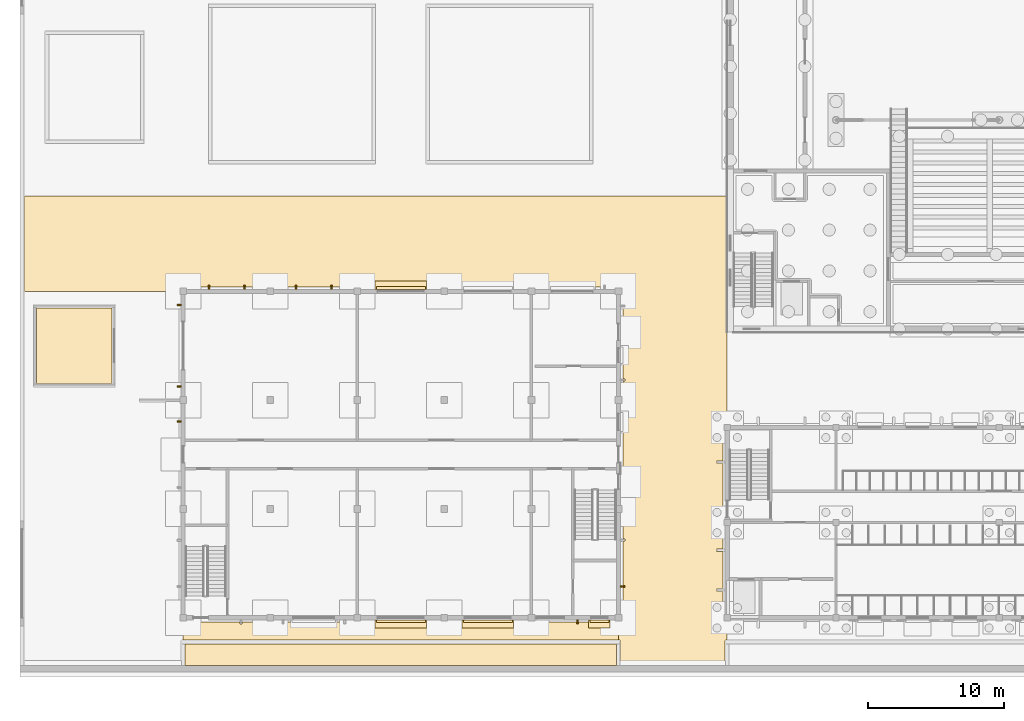
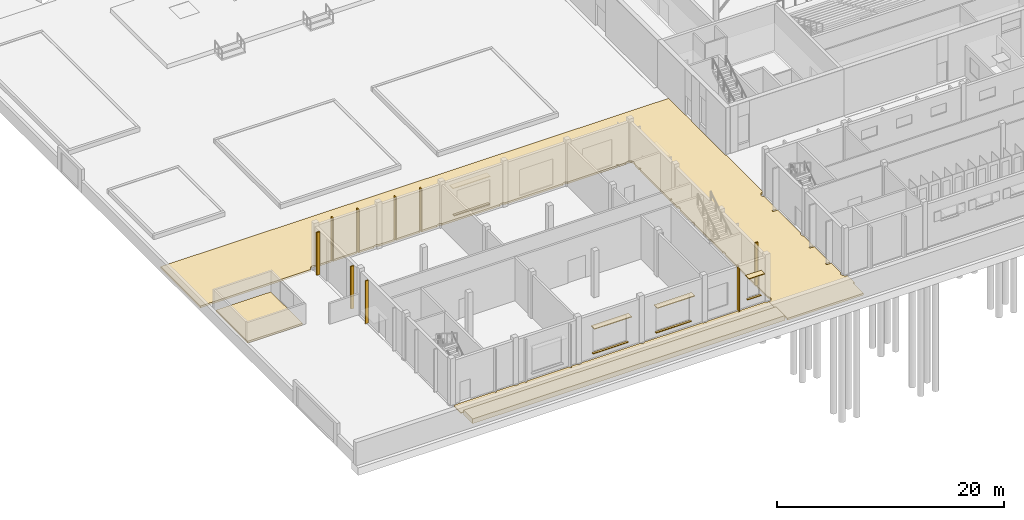
# One storey, part 122 of 157: 12 coverings, 9 shading devices.
"""IFC4 building model written with IfcOpenShell, lengths in metres."""

import ifcopenshell
import ifcopenshell.guid

model = None  # the IFC model being written
_history = None  # IfcOwnerHistory: only IFC2X3 demands one
_inside = {}  # id of a spatial element -> (the spatial element, [elements in it])
_under = {}  # id of a project, library or spatial element -> (it, [spatial elements below it])
_declared = {}  # id of a project -> (the project, [libraries it declares])
_typed = {}  # id of a type object -> (the type object, [elements of that type])
_made_of = {}  # id of a material, layer set ... -> (it, [elements and type objects made of it])


def new_model(schema):
    """Start an empty IFC model of exactly this schema.

    Asked for "IFC4X3", IfcOpenShell would pick the latest addendum, in which some entities
    have other attributes; the version numbers below select the first issue.
    IFC2X3 requires an IfcOwnerHistory on every rooted entity: one is made here for all.
    """
    global model, _history
    if schema == "IFC4X3":
        model = ifcopenshell.file(schema_version=(4, 3, 0, 0))
    else:
        model = ifcopenshell.file(schema=schema)
    _inside.clear()
    _under.clear()
    _declared.clear()
    _typed.clear()
    _made_of.clear()
    _history = None
    if model.schema == "IFC2X3":
        org = make("IfcOrganization", Name="unknown")
        user = make(
            "IfcPersonAndOrganization",
            ThePerson=make("IfcPerson", FamilyName="unknown"),
            TheOrganization=org,
        )
        app = make(
            "IfcApplication",
            ApplicationDeveloper=org,
            Version="unknown",
            ApplicationFullName="unknown",
            ApplicationIdentifier="unknown",
        )
        _history = make(
            "IfcOwnerHistory",
            OwningUser=user,
            OwningApplication=app,
            ChangeAction="ADDED",
            CreationDate=0,
        )
    return model


def make(cls, **values):
    """One entity of the class cls with the attributes given. An attribute that is None is left unset."""
    return model.create_entity(
        cls, **{name: value for name, value in values.items() if value is not None}
    )


def rooted(cls, **values):
    """An entity with a GlobalId (a new one), such as an element, a storey or a relation."""
    return make(cls, GlobalId=ifcopenshell.guid.new(), OwnerHistory=_history, **values)


def si_unit(unit_type, name, prefix=None):
    """IfcSIUnit, for example si_unit("LENGTHUNIT", "METRE", prefix="MILLI")."""
    return make("IfcSIUnit", UnitType=unit_type, Prefix=prefix, Name=name)


def assignment(units):
    """IfcUnitAssignment: the units of a project."""
    return None if units is None else make("IfcUnitAssignment", Units=units)


def point(xyz):
    """IfcCartesianPoint."""
    return None if xyz is None else make("IfcCartesianPoint", Coordinates=xyz)


def direction(xyz):
    """IfcDirection."""
    return None if xyz is None else make("IfcDirection", DirectionRatios=xyz)


def frame(location, z_axis=None, x_axis=None):
    """IfcAxis2Placement3D, a coordinate frame: its origin and axes. An axis left out is left unset."""
    return make(
        "IfcAxis2Placement3D",
        Location=point(location),
        Axis=direction(z_axis),
        RefDirection=direction(x_axis),
    )


def origin():
    """The frame at (0, 0, 0) with its axes left unset."""
    return frame((0.0, 0.0, 0.0))


def place(relative_to, where):
    """IfcLocalPlacement: puts the frame where relative to a parent placement (None: the world)."""
    return make(
        "IfcLocalPlacement", PlacementRelTo=relative_to, RelativePlacement=where
    )


def context(
    kind, dimensions, precision=None, world=None, true_north=None, identifier=None
):
    """IfcGeometricRepresentationContext, for example the 3D "Model" context."""
    return make(
        "IfcGeometricRepresentationContext",
        ContextIdentifier=identifier,
        ContextType=kind,
        CoordinateSpaceDimension=dimensions,
        Precision=precision,
        WorldCoordinateSystem=world,
        TrueNorth=true_north,
    )


def subcontext(parent, identifier, kind, view, scale=None):
    """IfcGeometricRepresentationSubContext, for example "Body" below "Model"."""
    return make(
        "IfcGeometricRepresentationSubContext",
        ContextIdentifier=identifier,
        ContextType=kind,
        ParentContext=parent,
        TargetScale=scale,
        TargetView=view,
    )


def project(units=None, contexts=None):
    """IfcProject with its units and contexts."""
    return rooted(
        "IfcProject",
        Name="project",
        RepresentationContexts=contexts,
        UnitsInContext=assignment(units),
    )


def spatial(cls, under=None, at=None, **own):
    """A site, building, storey or space (cls), placed at a placement, below another one or the project."""
    s = rooted(cls, ObjectPlacement=at, **own)
    if under is not None:
        _under.setdefault(under.id(), (under, []))[1].append(s)
    return s


def polyline(points):
    """IfcPolyline through the points."""
    return make("IfcPolyline", Points=[point(p) for p in points])


def outline(outer, holes=None, kind="AREA"):
    """IfcArbitraryClosedProfileDef: a profile drawn as a closed curve; with holes, ...WithVoids."""
    if holes is None:
        return make("IfcArbitraryClosedProfileDef", ProfileType=kind, OuterCurve=outer)
    return make(
        "IfcArbitraryProfileDefWithVoids",
        ProfileType=kind,
        OuterCurve=outer,
        InnerCurves=holes,
    )


def extrude(swept, where, along, depth):
    """IfcExtrudedAreaSolid: the profile swept, set in the frame where, extruded along a direction by depth."""
    return make(
        "IfcExtrudedAreaSolid",
        SweptArea=swept,
        Position=where,
        ExtrudedDirection=direction(along),
        Depth=depth,
    )


def shape(context_of_items, identifier, shape_type, items):
    """IfcShapeRepresentation: the items that make up one representation, for example the "Body"."""
    return make(
        "IfcShapeRepresentation",
        ContextOfItems=context_of_items,
        RepresentationIdentifier=identifier,
        RepresentationType=shape_type,
        Items=items,
    )


def material(Name=None, Category=None):
    """IfcMaterial."""
    return make("IfcMaterial", Name=Name, Category=Category)


def layer(
    of_material, thickness, ventilated=None, Name=None, Category=None, Priority=None
):
    """IfcMaterialLayer: one layer of a wall or slab, of a material (None: an air gap)."""
    return make(
        "IfcMaterialLayer",
        Material=of_material,
        LayerThickness=thickness,
        IsVentilated=ventilated,
        Name=Name,
        Category=Category,
        Priority=Priority,
    )


def layer_set(layers, Name=None):
    """IfcMaterialLayerSet."""
    return make("IfcMaterialLayerSet", MaterialLayers=layers, LayerSetName=Name)


def made_of(thing, what):
    """Note that an element or type object is made of a material, layer set ...; save() writes the relation."""
    if what is not None:
        _made_of.setdefault(what.id(), (what, []))[1].append(thing)
    return thing


def type_object(cls, material=None, **own):
    """A type object (cls), such as IfcWallType, which elements share."""
    return made_of(rooted(cls, **own), material)


def element(
    cls,
    number,
    at=None,
    inside=None,
    cuts=None,
    type_object=None,
    material=None,
    context=None,
    identifier="Body",
    shape_type=None,
    held_by="IfcProductDefinitionShape",
    body=None,
    shapes=None,
    **own,
):
    """One element of the class cls, such as IfcWall. Its Tag is "e" and its number.

    at: its placement. inside: the storey or other place that contains it. cuts: it is an
    opening in that element (IfcRelVoidsElement). A single representation is given by context,
    identifier, shape_type and body (its items); several are given by shapes. held_by: the class
    of the entity that holds the representations. save() writes the other relations.
    """
    e = rooted(cls, Tag="e%d" % number, ObjectPlacement=at, **own)
    if body is not None:
        shapes = [shape(context, identifier, shape_type, body)]
    if shapes is not None:
        e.Representation = make(held_by, Representations=shapes)
    if inside is not None:
        _inside.setdefault(inside.id(), (inside, []))[1].append(e)
    if cuts is not None:
        rooted(
            "IfcRelVoidsElement", RelatingBuildingElement=cuts, RelatedOpeningElement=e
        )
    if type_object is not None:
        _typed.setdefault(type_object.id(), (type_object, []))[1].append(e)
    return made_of(e, material)


def aggregate(whole, parts):
    """IfcRelAggregates: a whole, such as a stair, and the parts it consists of."""
    return rooted("IfcRelAggregates", RelatingObject=whole, RelatedObjects=parts)


def save(model, path):
    """Write the relations noted so far, then the file.

    IfcRelAggregates (storeys below a building ...), IfcRelContainedInSpatialStructure (elements
    in a storey), IfcRelDefinesByType, IfcRelAssociatesMaterial and IfcRelDeclares: one each for
    every whole, place, type object, material and project.
    """
    for whole, parts in _under.values():
        aggregate(whole, parts)
    for where, things in _inside.values():
        rooted(
            "IfcRelContainedInSpatialStructure",
            RelatedElements=things,
            RelatingStructure=where,
        )
    for kind, things in _typed.values():
        rooted("IfcRelDefinesByType", RelatedObjects=things, RelatingType=kind)
    for what, things in _made_of.values():
        rooted("IfcRelAssociatesMaterial", RelatedObjects=things, RelatingMaterial=what)
    for by, libraries in _declared.values():
        rooted("IfcRelDeclares", RelatingContext=by, RelatedDefinitions=libraries)
    model.write(path)


model = new_model("IFC4")

# Units and contexts
model_context = context("Model", 3, precision=1e-05, world=origin(), true_north=direction((0.0, 1.0)))
body_context = subcontext(model_context, "Body", "Model", "MODEL_VIEW")
ifc_project = project(units=[si_unit("LENGTHUNIT", "METRE"), si_unit("AREAUNIT", "SQUARE_METRE"), si_unit("VOLUMEUNIT", "CUBIC_METRE"), si_unit("PLANEANGLEUNIT", "RADIAN"), si_unit("MASSUNIT", "GRAM", prefix="KILO")], contexts=[model_context])

# Site, building, storey
site_placement = place(None, origin())
site = spatial("IfcSite", under=ifc_project, at=site_placement, CompositionType="ELEMENT")
building_placement = place(site_placement, origin())
building = spatial("IfcBuilding", under=site, at=building_placement, Name="Windward Yard Aquatics Centre", CompositionType="ELEMENT")
storey_placement = place(building_placement, origin())
storey = spatial("IfcBuildingStorey", under=building, at=storey_placement, Name="L00", CompositionType="ELEMENT", Elevation=0.0)

# Shading devices
ifc_material_1 = material(Name="Aluminium fin, powder coated", Category="aluminium")
shading_device_type = type_object("IfcShadingDeviceType", Name="P vertical fin 120x300", PredefinedType="USERDEFINED", material=ifc_material_1)
shading_device_1_placement = place(storey_placement, origin())
element("IfcShadingDevice", 1, at=shading_device_1_placement, inside=storey, type_object=shading_device_type, Name="Vertical fin P.W.L00.E1.1.1", ObjectType="FIN", PredefinedType="USERDEFINED", context=body_context, shape_type="SweptSolid", body=[
    extrude(outline(polyline([(44.14990234375, 7.239990234375), (44.14990234375, 7.360107421875), (44.449951171875, 7.360107421875), (44.449951171875, 7.239990234375), (44.14990234375, 7.239990234375)])), origin(), (0.0, 0.0, 1.0), 4.590087890625),
])
shading_device_2_placement = place(storey_placement, origin())
element("IfcShadingDevice", 2, at=shading_device_2_placement, inside=storey, type_object=shading_device_type, Name="Vertical fin P.W.L00.N1.1.1", ObjectType="FIN", PredefinedType="USERDEFINED", context=body_context, shape_type="SweptSolid", body=[
    extrude(outline(polyline([(13.840087890625, 29.14990234375), (13.9599609375, 29.14990234375), (13.9599609375, 29.449951171875), (13.840087890625, 29.449951171875), (13.840087890625, 29.14990234375)])), origin(), (0.0, 0.0, 1.0), 4.590087890625),
])
shading_device_3_placement = place(storey_placement, origin())
element("IfcShadingDevice", 3, at=shading_device_3_placement, inside=storey, type_object=shading_device_type, Name="Vertical fin P.W.L00.N1.1.2", ObjectType="FIN", PredefinedType="USERDEFINED", context=body_context, shape_type="SweptSolid", body=[
    extrude(outline(polyline([(16.43994140625, 29.14990234375), (16.56005859375, 29.14990234375), (16.56005859375, 29.449951171875), (16.43994140625, 29.449951171875), (16.43994140625, 29.14990234375)])), origin(), (0.0, 0.0, 1.0), 4.590087890625),
])
shading_device_4_placement = place(storey_placement, origin())
element("IfcShadingDevice", 4, at=shading_device_4_placement, inside=storey, type_object=shading_device_type, Name="Vertical fin P.W.L00.N2.1.1", ObjectType="FIN", PredefinedType="USERDEFINED", context=body_context, shape_type="SweptSolid", body=[
    extrude(outline(polyline([(20.239990234375, 29.14990234375), (20.360107421875, 29.14990234375), (20.360107421875, 29.449951171875), (20.239990234375, 29.449951171875), (20.239990234375, 29.14990234375)])), origin(), (0.0, 0.0, 1.0), 4.590087890625),
])
shading_device_5_placement = place(storey_placement, origin())
element("IfcShadingDevice", 5, at=shading_device_5_placement, inside=storey, type_object=shading_device_type, Name="Vertical fin P.W.L00.N2.1.2", ObjectType="FIN", PredefinedType="USERDEFINED", context=body_context, shape_type="SweptSolid", body=[
    extrude(outline(polyline([(22.840087890625, 29.14990234375), (22.9599609375, 29.14990234375), (22.9599609375, 29.449951171875), (22.840087890625, 29.449951171875), (22.840087890625, 29.14990234375)])), origin(), (0.0, 0.0, 1.0), 4.590087890625),
])
shading_device_6_placement = place(storey_placement, origin())
element("IfcShadingDevice", 6, at=shading_device_6_placement, inside=storey, type_object=shading_device_type, Name="Vertical fin P.W.L00.S5.1.1", ObjectType="FIN", PredefinedType="USERDEFINED", context=body_context, shape_type="SweptSolid", body=[
    extrude(outline(polyline([(40.93994140625, 4.550048828125), (40.93994140625, 4.85009765625), (41.06005859375, 4.85009765625), (41.06005859375, 4.550048828125), (40.93994140625, 4.550048828125)])), origin(), (0.0, 0.0, 1.0), 4.590087890625),
])
shading_device_7_placement = place(storey_placement, origin())
element("IfcShadingDevice", 7, at=shading_device_7_placement, inside=storey, type_object=shading_device_type, Name="Vertical fin P.W.L00.W2.2.1", ObjectType="FIN", PredefinedType="USERDEFINED", context=body_context, shape_type="SweptSolid", body=[
    extrude(outline(polyline([(11.550048828125, 19.364990234375), (11.85009765625, 19.364990234375), (11.85009765625, 19.485107421875), (11.550048828125, 19.485107421875), (11.550048828125, 19.364990234375)])), origin(), (0.0, 0.0, 1.0), 4.590087890625),
])
shading_device_8_placement = place(storey_placement, origin())
element("IfcShadingDevice", 8, at=shading_device_8_placement, inside=storey, type_object=shading_device_type, Name="Vertical fin P.W.L00.W3.1.1", ObjectType="FIN", PredefinedType="USERDEFINED", context=body_context, shape_type="SweptSolid", body=[
    extrude(outline(polyline([(11.550048828125, 21.93994140625), (11.85009765625, 21.93994140625), (11.85009765625, 22.06005859375), (11.550048828125, 22.06005859375), (11.550048828125, 21.93994140625)])), origin(), (0.0, 0.0, 1.0), 4.590087890625),
])
shading_device_9_placement = place(storey_placement, origin())
element("IfcShadingDevice", 9, at=shading_device_9_placement, inside=storey, type_object=shading_device_type, Name="Vertical fin P.W.L00.W3.2.1", ObjectType="FIN", PredefinedType="USERDEFINED", context=body_context, shape_type="SweptSolid", body=[
    extrude(outline(polyline([(11.550048828125, 27.93994140625), (11.85009765625, 27.93994140625), (11.85009765625, 28.06005859375), (11.550048828125, 28.06005859375), (11.550048828125, 27.93994140625)])), origin(), (0.0, 0.0, 1.0), 4.590087890625),
])

# Coverings
ifc_material_2 = material(Name="Aluminium composite hood, powder coated", Category="aluminium")
ifc_layer_1 = layer(ifc_material_2, 0.080078125)
ifc_layer_set_1 = layer_set([ifc_layer_1], Name="P window hood aluminium 1600x600")
covering_type_1 = type_object("IfcCoveringType", Name="P window hood aluminium 1600x600", PredefinedType="CLADDING", material=ifc_layer_set_1)
covering_1_placement = place(storey_placement, frame((0.0, 0.0, 3.35009765625)))
element("IfcCovering", 10, at=covering_1_placement, inside=storey, type_object=covering_type_1, Name="Window hood PW0005", PredefinedType="CLADDING", context=body_context, shape_type="SweptSolid", body=[
    extrude(outline(polyline([(41.800048828125, 4.25), (41.800048828125, 4.85009765625), (43.39990234375, 4.85009765625), (43.39990234375, 4.25), (41.800048828125, 4.25)])), origin(), (0.0, 0.0, 1.0), 0.079833984375),
])
ifc_layer_2 = layer(ifc_material_2, 0.080078125)
ifc_layer_set_2 = layer_set([ifc_layer_2], Name="P window hood aluminium 3800x600")
covering_type_2 = type_object("IfcCoveringType", Name="P window hood aluminium 3800x600", PredefinedType="CLADDING", material=ifc_layer_set_2)
covering_2_placement = place(storey_placement, frame((0.0, 0.0, 3.449951171875)))
element("IfcCovering", 11, at=covering_2_placement, inside=storey, type_object=covering_type_2, Name="Window hood PW0006", PredefinedType="CLADDING", context=body_context, shape_type="SweptSolid", body=[
    extrude(outline(polyline([(26.10009765625, 29.14990234375), (29.89990234375, 29.14990234375), (29.89990234375, 29.75), (26.10009765625, 29.75), (26.10009765625, 29.14990234375)])), origin(), (0.0, 0.0, 1.0), 0.080078125),
])
covering_3_placement = place(storey_placement, frame((0.0, 0.0, 3.449951171875)))
element("IfcCovering", 12, at=covering_3_placement, inside=storey, type_object=covering_type_2, Name="Window hood PW0002", PredefinedType="CLADDING", context=body_context, shape_type="SweptSolid", body=[
    extrude(outline(polyline([(26.10009765625, 4.25), (26.10009765625, 4.85009765625), (29.89990234375, 4.85009765625), (29.89990234375, 4.25), (26.10009765625, 4.25)])), origin(), (0.0, 0.0, 1.0), 0.080078125),
])
covering_4_placement = place(storey_placement, frame((0.0, 0.0, 3.449951171875)))
element("IfcCovering", 13, at=covering_4_placement, inside=storey, type_object=covering_type_2, Name="Window hood PW0003", PredefinedType="CLADDING", context=body_context, shape_type="SweptSolid", body=[
    extrude(outline(polyline([(32.5, 4.25), (32.5, 4.85009765625), (36.300048828125, 4.85009765625), (36.300048828125, 4.25), (32.5, 4.25)])), origin(), (0.0, 0.0, 1.0), 0.080078125),
])
ifc_material_3 = material(Name="Limestone sill", Category="masonry")
ifc_layer_3 = layer(ifc_material_3, 0.080078125)
ifc_layer_set_3 = layer_set([ifc_layer_3], Name="P window sill stone 1400x200")
covering_type_3 = type_object("IfcCoveringType", Name="P window sill stone 1400x200", PredefinedType="CLADDING", material=ifc_layer_set_3)
covering_5_placement = place(storey_placement, frame((0.0, 0.0, 0.820068359375)))
element("IfcCovering", 14, at=covering_5_placement, inside=storey, type_object=covering_type_3, Name="Window sill PW0005", PredefinedType="CLADDING", context=body_context, shape_type="SweptSolid", body=[
    extrude(outline(polyline([(41.89990234375, 4.64990234375), (41.89990234375, 4.85009765625), (43.300048828125, 4.85009765625), (43.300048828125, 4.64990234375), (41.89990234375, 4.64990234375)])), origin(), (0.0, 0.0, 1.0), 0.079833984375),
])
ifc_layer_4 = layer(ifc_material_3, 0.080078125)
ifc_layer_set_4 = layer_set([ifc_layer_4], Name="P window sill stone 3600x200")
covering_type_4 = type_object("IfcCoveringType", Name="P window sill stone 3600x200", PredefinedType="CLADDING", material=ifc_layer_set_4)
covering_6_placement = place(storey_placement, frame((0.0, 0.0, 0.52001953125)))
element("IfcCovering", 15, at=covering_6_placement, inside=storey, type_object=covering_type_4, Name="Window sill PW0006", PredefinedType="CLADDING", context=body_context, shape_type="SweptSolid", body=[
    extrude(outline(polyline([(26.199951171875, 29.14990234375), (29.800048828125, 29.14990234375), (29.800048828125, 29.35009765625), (26.199951171875, 29.35009765625), (26.199951171875, 29.14990234375)])), origin(), (0.0, 0.0, 1.0), 0.080078125),
])
covering_7_placement = place(storey_placement, frame((0.0, 0.0, 0.52001953125)))
element("IfcCovering", 16, at=covering_7_placement, inside=storey, type_object=covering_type_4, Name="Window sill PW0002", PredefinedType="CLADDING", context=body_context, shape_type="SweptSolid", body=[
    extrude(outline(polyline([(26.199951171875, 4.64990234375), (26.199951171875, 4.85009765625), (29.800048828125, 4.85009765625), (29.800048828125, 4.64990234375), (26.199951171875, 4.64990234375)])), origin(), (0.0, 0.0, 1.0), 0.080078125),
])
covering_8_placement = place(storey_placement, frame((0.0, 0.0, 0.52001953125)))
element("IfcCovering", 17, at=covering_8_placement, inside=storey, type_object=covering_type_4, Name="Window sill PW0003", PredefinedType="CLADDING", context=body_context, shape_type="SweptSolid", body=[
    extrude(outline(polyline([(32.60009765625, 4.64990234375), (32.60009765625, 4.85009765625), (36.199951171875, 4.85009765625), (36.199951171875, 4.64990234375), (32.60009765625, 4.64990234375)])), origin(), (0.0, 0.0, 1.0), 0.080078125),
])
ifc_material_4 = material(Name="Concrete block paving C35/45", Category="concrete")
ifc_layer_5 = layer(ifc_material_4, 0.080078125)
ifc_layer_set_5 = layer_set([ifc_layer_5], Name="X Maintenance Path Paving 80")
covering_type_5 = type_object("IfcCoveringType", Name="X Maintenance Path Paving 80", PredefinedType="FLOORING", material=ifc_layer_set_5)
covering_9_placement = place(storey_placement, frame((0.0, 0.0, -0.080078125)))
element("IfcCovering", 18, at=covering_9_placement, inside=storey, type_object=covering_type_5, Name="Maintenance path paving 1", PredefinedType="FLOORING", context=body_context, shape_type="SweptSolid", body=[
    extrude(outline(polyline([(12.0, 3.344970703125), (44.0, 3.344970703125), (44.0, 4.580078125), (43.959716796875, 4.58203125), (43.9189453125, 4.587890625), (43.87890625, 4.597900390625), (43.840087890625, 4.611572265625), (43.802978515625, 4.629150390625), (43.767578125, 4.650390625), (43.728515625, 4.679931640625), (41.080078125, 4.679931640625), (41.079833984375, 4.548095703125), (41.07763671875, 4.54052734375), (41.07275390625, 4.534423828125), (41.06591796875, 4.531005859375), (41.06005859375, 4.530029296875), (40.93994140625, 4.530029296875), (40.932373046875, 4.531494140625), (40.92578125, 4.535888671875), (40.92138671875, 4.542236328125), (40.919921875, 4.550048828125), (40.919921875, 4.679931640625), (37.87158203125, 4.679931640625), (37.83251953125, 4.650390625), (37.797119140625, 4.629150390625), (37.759765625, 4.611572265625), (37.720947265625, 4.597900390625), (37.680908203125, 4.587890625), (37.64013671875, 4.58203125), (37.59912109375, 4.580078125), (37.559814453125, 4.58203125), (37.51904296875, 4.587890625), (37.47900390625, 4.597900390625), (37.440185546875, 4.611572265625), (37.40283203125, 4.629150390625), (37.367431640625, 4.650390625), (37.328369140625, 4.679931640625), (31.4716796875, 4.679931640625), (31.4326171875, 4.650390625), (31.397216796875, 4.629150390625), (31.35986328125, 4.611572265625), (31.321044921875, 4.597900390625), (31.281005859375, 4.587890625), (31.240234375, 4.58203125), (31.198974609375, 4.580078125), (31.157958984375, 4.58203125), (31.1171875, 4.58837890625), (31.0771484375, 4.598388671875), (31.040283203125, 4.611572265625), (31.0029296875, 4.629150390625), (30.967529296875, 4.650390625), (30.928466796875, 4.679931640625), (25.071533203125, 4.679931640625), (25.032470703125, 4.650390625), (24.9970703125, 4.629150390625), (24.959716796875, 4.611572265625), (24.9208984375, 4.597900390625), (24.881103515625, 4.587890625), (24.840087890625, 4.58203125), (24.799072265625, 4.580078125), (24.7578125, 4.58203125), (24.717041015625, 4.58837890625), (24.677001953125, 4.598388671875), (24.64013671875, 4.611572265625), (24.602783203125, 4.629150390625), (24.5673828125, 4.650390625), (24.5283203125, 4.679931640625), (23.955078125, 4.679931640625), (23.955078125, 4.550048828125), (23.95361328125, 4.542236328125), (23.94921875, 4.535888671875), (23.942626953125, 4.531494140625), (23.93505859375, 4.530029296875), (23.81494140625, 4.530029296875), (23.807373046875, 4.531494140625), (23.80078125, 4.535888671875), (23.79736328125, 4.54052734375), (23.795166015625, 4.548095703125), (23.794921875, 4.679931640625), (19.405029296875, 4.679931640625), (19.405029296875, 4.550048828125), (19.403564453125, 4.542236328125), (19.399169921875, 4.535888671875), (19.392578125, 4.531494140625), (19.385009765625, 4.530029296875), (19.264892578125, 4.530029296875), (19.25732421875, 4.531494140625), (19.2509765625, 4.535888671875), (19.247314453125, 4.54052734375), (19.2451171875, 4.548095703125), (19.2451171875, 4.679931640625), (18.671630859375, 4.679931640625), (18.632568359375, 4.650390625), (18.59716796875, 4.629150390625), (18.559814453125, 4.611572265625), (18.52099609375, 4.597900390625), (18.48095703125, 4.587890625), (18.440185546875, 4.58203125), (18.39892578125, 4.580078125), (18.35791015625, 4.58203125), (18.317138671875, 4.58837890625), (18.277099609375, 4.598388671875), (18.240234375, 4.611572265625), (18.202880859375, 4.629150390625), (18.16748046875, 4.650390625), (18.12841796875, 4.679931640625), (16.330078125, 4.679931640625), (16.330078125, 4.550048828125), (16.32861328125, 4.542236328125), (16.32421875, 4.535888671875), (16.317626953125, 4.531494140625), (16.31005859375, 4.530029296875), (16.18994140625, 4.530029296875), (16.182373046875, 4.531494140625), (16.17578125, 4.535888671875), (16.17236328125, 4.54052734375), (16.170166015625, 4.548095703125), (16.169921875, 4.679931640625), (12.271484375, 4.679931640625), (12.232421875, 4.650390625), (12.197021484375, 4.629150390625), (12.159912109375, 4.611572265625), (12.12109375, 4.597900390625), (12.0810546875, 4.587890625), (12.040283203125, 4.58203125), (12.0, 4.580078125), (12.0, 3.344970703125)])), origin(), (0.0, 0.0, 1.0), 0.080078125),
])
ifc_material_5 = material(Name="Planting soil")
ifc_layer_6 = layer(ifc_material_5, 0.448, Name="Planting")
ifc_material_6 = material(Name="Filter fabric")
ifc_layer_7 = layer(ifc_material_6, 0.002, Name="Filter")
ifc_material_7 = material(Name="Drainage board")
ifc_layer_8 = layer(ifc_material_7, 0.05, Name="Drainage")
ifc_layer_set_6 = layer_set([ifc_layer_6, ifc_layer_7, ifc_layer_8], Name="X Planting Bed Soil 400")
covering_type_6 = type_object("IfcCoveringType", Name="X Planting Bed Soil 400", PredefinedType="USERDEFINED", material=ifc_layer_set_6)
covering_10_placement = place(storey_placement, frame((0.0, 0.0, -0.10009765625)))
element("IfcCovering", 19, at=covering_10_placement, inside=storey, type_object=covering_type_6, Name="Rail side berm west", ObjectType="PLANTING BED", PredefinedType="USERDEFINED", context=body_context, shape_type="SweptSolid", body=[
    extrude(outline(polyline([(12.125, 1.5), (43.875, 1.5), (43.875, 3.074951171875), (12.125, 3.074951171875), (12.125, 1.5)])), origin(), (0.0, 0.0, 1.0), 0.5),
])
ifc_material_8 = material(Name="Concrete C30/37", Category="concrete")
ifc_layer_9 = layer(ifc_material_8, 0.199951171875)
ifc_layer_set_7 = layer_set([ifc_layer_9], Name="X Service Apron Concrete C30/37 200")
covering_type_7 = type_object("IfcCoveringType", Name="X Service Apron Concrete C30/37 200", PredefinedType="FLOORING", material=ifc_layer_set_7)
covering_11_placement = place(storey_placement, frame((0.0, 0.0, -0.199951171875)))
element("IfcCovering", 20, at=covering_11_placement, inside=storey, type_object=covering_type_7, Name="Service apron paving 1", PredefinedType="FLOORING", context=body_context, shape_type="SweptSolid", body=[
    extrude(outline(polyline([(1.219970703125, 22.219970703125), (6.780029296875, 22.219970703125), (6.780029296875, 27.780029296875), (1.219970703125, 27.780029296875), (1.219970703125, 22.219970703125)])), origin(), (0.0, 0.0, 1.0), 0.199951171875),
])
covering_12_placement = place(storey_placement, frame((0.0, 0.0, -0.199951171875)))
element("IfcCovering", 21, at=covering_12_placement, inside=storey, type_object=covering_type_7, Name="Service lane paving 1", PredefinedType="FLOORING", context=body_context, shape_type="SweptSolid", body=[
    extrude(outline(polyline([(0.320068359375, 29.0), (11.580078125, 29.0), (11.58203125, 29.040283203125), (11.587890625, 29.0810546875), (11.598388671875, 29.122802734375), (11.6123046875, 29.16162109375), (11.630126953125, 29.19873046875), (11.6513671875, 29.234130859375), (11.679931640625, 29.271484375), (11.68017578125, 29.302001953125), (11.6845703125, 29.312744140625), (11.68896484375, 29.316650390625), (11.696044921875, 29.319580078125), (11.728515625, 29.320068359375), (11.765869140625, 29.3486328125), (11.802978515625, 29.370849609375), (11.840087890625, 29.388427734375), (11.877197265625, 29.401611328125), (11.9169921875, 29.41162109375), (11.959716796875, 29.41796875), (12.0009765625, 29.419921875), (12.0419921875, 29.41796875), (12.0830078125, 29.41162109375), (12.12109375, 29.402099609375), (12.159912109375, 29.388427734375), (12.19873046875, 29.369873046875), (12.234130859375, 29.3486328125), (12.271484375, 29.320068359375), (13.820068359375, 29.320068359375), (13.820068359375, 29.451904296875), (13.821533203125, 29.457763671875), (13.825927734375, 29.464111328125), (13.832275390625, 29.468505859375), (13.840087890625, 29.469970703125), (13.9599609375, 29.469970703125), (13.9677734375, 29.468505859375), (13.97412109375, 29.464111328125), (13.978515625, 29.457763671875), (13.97998046875, 29.449951171875), (13.97998046875, 29.320068359375), (16.419921875, 29.320068359375), (16.419921875, 29.449951171875), (16.42138671875, 29.457763671875), (16.42578125, 29.464111328125), (16.432373046875, 29.468505859375), (16.43994140625, 29.469970703125), (16.56005859375, 29.469970703125), (16.567626953125, 29.468505859375), (16.57421875, 29.464111328125), (16.57763671875, 29.45947265625), (16.579833984375, 29.451904296875), (16.580078125, 29.320068359375), (18.12841796875, 29.320068359375), (18.16748046875, 29.349609375), (18.202880859375, 29.370849609375), (18.240234375, 29.388427734375), (18.279052734375, 29.402099609375), (18.319091796875, 29.412109375), (18.35986328125, 29.41796875), (18.40087890625, 29.419921875), (18.442138671875, 29.41796875), (18.48291015625, 29.41162109375), (18.52294921875, 29.401611328125), (18.559814453125, 29.388427734375), (18.59716796875, 29.370849609375), (18.632568359375, 29.349609375), (18.671630859375, 29.320068359375), (20.219970703125, 29.320068359375), (20.219970703125, 29.449951171875), (20.221435546875, 29.457763671875), (20.225830078125, 29.464111328125), (20.232421875, 29.468505859375), (20.239990234375, 29.469970703125), (20.360107421875, 29.469970703125), (20.36767578125, 29.468505859375), (20.3740234375, 29.464111328125), (20.377685546875, 29.45947265625), (20.3798828125, 29.451904296875), (20.3798828125, 29.320068359375), (22.820068359375, 29.320068359375), (22.820068359375, 29.449951171875), (22.821533203125, 29.457763671875), (22.825927734375, 29.464111328125), (22.832275390625, 29.468505859375), (22.840087890625, 29.469970703125), (22.9599609375, 29.469970703125), (22.9677734375, 29.468505859375), (22.97412109375, 29.464111328125), (22.9775390625, 29.45947265625), (22.97998046875, 29.451904296875), (22.97998046875, 29.320068359375), (24.5283203125, 29.320068359375), (24.5673828125, 29.349609375), (24.602783203125, 29.370849609375), (24.64013671875, 29.388427734375), (24.678955078125, 29.402099609375), (24.718994140625, 29.412109375), (24.759765625, 29.41796875), (24.801025390625, 29.419921875), (24.842041015625, 29.41796875), (24.8828125, 29.41162109375), (24.9228515625, 29.401611328125), (24.959716796875, 29.388427734375), (24.9970703125, 29.370849609375), (25.032470703125, 29.349609375), (25.071533203125, 29.320068359375), (30.928466796875, 29.320068359375), (30.967529296875, 29.349609375), (31.0029296875, 29.370849609375), (31.040283203125, 29.388427734375), (31.0791015625, 29.402099609375), (31.118896484375, 29.412109375), (31.159912109375, 29.41796875), (31.200927734375, 29.419921875), (31.2421875, 29.41796875), (31.282958984375, 29.41162109375), (31.322998046875, 29.401611328125), (31.35986328125, 29.388427734375), (31.397216796875, 29.370849609375), (31.4326171875, 29.349609375), (31.4716796875, 29.320068359375), (37.328369140625, 29.320068359375), (37.367431640625, 29.349609375), (37.40283203125, 29.370849609375), (37.440185546875, 29.388427734375), (37.47900390625, 29.402099609375), (37.51904296875, 29.412109375), (37.559814453125, 29.41796875), (37.60107421875, 29.419921875), (37.64208984375, 29.41796875), (37.682861328125, 29.41162109375), (37.720947265625, 29.402099609375), (37.759765625, 29.388427734375), (37.797119140625, 29.370849609375), (37.83251953125, 29.349609375), (37.87158203125, 29.320068359375), (42.89501953125, 29.320068359375), (42.89501953125, 29.449951171875), (42.896484375, 29.457763671875), (42.90087890625, 29.464111328125), (42.9072265625, 29.468505859375), (42.9150390625, 29.469970703125), (43.034912109375, 29.469970703125), (43.040771484375, 29.468994140625), (43.047607421875, 29.465576171875), (43.052490234375, 29.45947265625), (43.054931640625, 29.451904296875), (43.054931640625, 29.320068359375), (43.728515625, 29.320068359375), (43.767578125, 29.349609375), (43.802978515625, 29.370849609375), (43.840087890625, 29.388427734375), (43.87890625, 29.402099609375), (43.9189453125, 29.412109375), (43.959716796875, 29.41796875), (44.0009765625, 29.419921875), (44.0419921875, 29.41796875), (44.0810546875, 29.412109375), (44.122802734375, 29.401611328125), (44.16162109375, 29.3876953125), (44.19873046875, 29.369873046875), (44.234130859375, 29.3486328125), (44.271484375, 29.320068359375), (44.302001953125, 29.31982421875), (44.309326171875, 29.317626953125), (44.316650390625, 29.31103515625), (44.319580078125, 29.303955078125), (44.320068359375, 29.271484375), (44.3486328125, 29.234130859375), (44.369873046875, 29.19873046875), (44.3876953125, 29.16162109375), (44.401611328125, 29.122802734375), (44.412109375, 29.0810546875), (44.41796875, 29.040283203125), (44.419921875, 29.0009765625), (44.41796875, 28.959716796875), (44.412109375, 28.9189453125), (44.402099609375, 28.87890625), (44.388427734375, 28.840087890625), (44.370849609375, 28.802978515625), (44.349609375, 28.767578125), (44.320068359375, 28.728515625), (44.320068359375, 28.0048828125), (44.451904296875, 28.0048828125), (44.45947265625, 28.002685546875), (44.465576171875, 27.997802734375), (44.468505859375, 27.99267578125), (44.469970703125, 27.985107421875), (44.469970703125, 27.864990234375), (44.468505859375, 27.857421875), (44.464111328125, 27.850830078125), (44.457763671875, 27.846435546875), (44.449951171875, 27.844970703125), (44.320068359375, 27.844970703125), (44.320068359375, 22.554931640625), (44.449951171875, 22.554931640625), (44.457763671875, 22.553466796875), (44.464111328125, 22.549072265625), (44.468505859375, 22.542724609375), (44.469970703125, 22.534912109375), (44.469970703125, 22.4150390625), (44.468505859375, 22.4072265625), (44.465576171875, 22.40234375), (44.45947265625, 22.3974609375), (44.451904296875, 22.39501953125), (44.320068359375, 22.39501953125), (44.320068359375, 21.271484375), (44.349609375, 21.232421875), (44.370849609375, 21.197021484375), (44.388427734375, 21.159912109375), (44.402099609375, 21.12109375), (44.412109375, 21.0810546875), (44.41796875, 21.040283203125), (44.419921875, 20.9990234375), (44.41796875, 20.959716796875), (44.412109375, 20.9189453125), (44.402099609375, 20.87890625), (44.388427734375, 20.840087890625), (44.370849609375, 20.802978515625), (44.349609375, 20.767578125), (44.320068359375, 20.728515625), (44.320068359375, 13.271484375), (44.349609375, 13.232421875), (44.370849609375, 13.197021484375), (44.388427734375, 13.159912109375), (44.402099609375, 13.12109375), (44.412109375, 13.0810546875), (44.41796875, 13.040283203125), (44.419921875, 12.9990234375), (44.41796875, 12.959716796875), (44.412109375, 12.9189453125), (44.402099609375, 12.87890625), (44.388427734375, 12.840087890625), (44.370849609375, 12.802978515625), (44.349609375, 12.767578125), (44.320068359375, 12.728515625), (44.320068359375, 10.780029296875), (44.449951171875, 10.780029296875), (44.457763671875, 10.778564453125), (44.464111328125, 10.774169921875), (44.468505859375, 10.767578125), (44.469970703125, 10.760009765625), (44.469970703125, 10.639892578125), (44.468505859375, 10.63232421875), (44.465576171875, 10.627197265625), (44.45947265625, 10.622314453125), (44.451904296875, 10.6201171875), (44.320068359375, 10.6201171875), (44.320068359375, 7.3798828125), (44.449951171875, 7.3798828125), (44.457763671875, 7.37841796875), (44.464111328125, 7.3740234375), (44.468505859375, 7.36767578125), (44.469970703125, 7.360107421875), (44.469970703125, 7.239990234375), (44.468505859375, 7.232421875), (44.465576171875, 7.227294921875), (44.45947265625, 7.222412109375), (44.451904296875, 7.22021484375), (44.320068359375, 7.219970703125), (44.320068359375, 5.271484375), (44.3486328125, 5.234130859375), (44.369873046875, 5.19873046875), (44.3876953125, 5.16162109375), (44.402099609375, 5.12109375), (44.412109375, 5.0810546875), (44.41796875, 5.040283203125), (44.419921875, 4.9990234375), (44.41796875, 4.959716796875), (44.412109375, 4.9189453125), (44.401611328125, 4.877197265625), (44.3876953125, 4.83837890625), (44.370849609375, 4.802978515625), (44.3486328125, 4.765869140625), (44.320068359375, 4.728515625), (44.319580078125, 4.696044921875), (44.316650390625, 4.68896484375), (44.312744140625, 4.6845703125), (44.302001953125, 4.68017578125), (44.271484375, 4.679931640625), (44.234130859375, 4.6513671875), (44.19873046875, 4.630126953125), (44.16162109375, 4.6123046875), (44.122802734375, 4.598388671875), (44.0810546875, 4.587890625), (44.040283203125, 4.58203125), (44.0, 4.580078125), (44.0, 3.344970703125), (44.126953125, 3.344970703125), (44.134521484375, 3.342529296875), (44.140380859375, 3.337646484375), (44.1435546875, 3.332763671875), (44.14501953125, 3.324951171875), (44.14501953125, 1.52001953125), (51.85498046875, 1.52001953125), (51.85498046875, 3.324951171875), (51.8564453125, 3.332763671875), (51.859619140625, 3.337646484375), (51.865478515625, 3.342529296875), (51.873046875, 3.344970703125), (52.0, 3.344970703125), (52.0, 4.580078125), (51.959716796875, 4.58203125), (51.9189453125, 4.587890625), (51.87890625, 4.597900390625), (51.840087890625, 4.611572265625), (51.802978515625, 4.629150390625), (51.767578125, 4.650390625), (51.73291015625, 4.676025390625), (51.70361328125, 4.702392578125), (51.676025390625, 4.73291015625), (51.6513671875, 4.765869140625), (51.630126953125, 4.80126953125), (51.6123046875, 4.83837890625), (51.598388671875, 4.877197265625), (51.58837890625, 4.9169921875), (51.58203125, 4.9580078125), (51.580078125, 5.0009765625), (51.58203125, 5.0419921875), (51.58837890625, 5.0830078125), (51.597900390625, 5.12109375), (51.611572265625, 5.159912109375), (51.630126953125, 5.19873046875), (51.6513671875, 5.234130859375), (51.676025390625, 5.26708984375), (51.705078125, 5.298828125), (51.705078125, 6.9423828125), (51.25, 6.9423828125), (51.2421875, 6.944091796875), (51.23583984375, 6.948486328125), (51.2314453125, 6.954833984375), (51.22998046875, 6.96240234375), (51.22998046875, 7.114501953125), (51.234619140625, 7.125244140625), (51.2421875, 7.131103515625), (51.25, 7.132568359375), (51.705078125, 7.132568359375), (51.705078125, 9.867431640625), (51.25, 9.867431640625), (51.2421875, 9.868896484375), (51.234619140625, 9.874755859375), (51.22998046875, 9.885498046875), (51.22998046875, 10.03759765625), (51.2314453125, 10.045166015625), (51.23583984375, 10.051513671875), (51.2421875, 10.055908203125), (51.25, 10.0576171875), (51.705078125, 10.0576171875), (51.705078125, 11.701171875), (51.676025390625, 11.73291015625), (51.6513671875, 11.765869140625), (51.630126953125, 11.80126953125), (51.6123046875, 11.83837890625), (51.597900390625, 11.87890625), (51.587890625, 11.9189453125), (51.58203125, 11.959716796875), (51.580078125, 12.0009765625), (51.58203125, 12.0419921875), (51.58837890625, 12.0830078125), (51.598388671875, 12.122802734375), (51.6123046875, 12.16162109375), (51.630126953125, 12.19873046875), (51.6513671875, 12.234130859375), (51.676025390625, 12.26708984375), (51.705078125, 12.298828125), (51.705078125, 16.342529296875), (51.25, 16.342529296875), (51.2421875, 16.343994140625), (51.2333984375, 16.351318359375), (51.22998046875, 16.360595703125), (51.22998046875, 16.512451171875), (51.2314453125, 16.520263671875), (51.23583984375, 16.526611328125), (51.2421875, 16.531005859375), (51.25, 16.532470703125), (51.705078125, 16.532470703125), (51.705078125, 18.701171875), (51.676025390625, 18.73291015625), (51.6513671875, 18.765869140625), (51.630126953125, 18.80126953125), (51.611572265625, 18.840087890625), (51.597900390625, 18.87890625), (51.58837890625, 18.9169921875), (51.58203125, 18.9580078125), (51.580078125, 19.0009765625), (51.58203125, 19.0419921875), (51.58837890625, 19.0830078125), (51.598388671875, 19.122802734375), (51.6123046875, 19.16162109375), (51.630126953125, 19.19873046875), (51.6513671875, 19.234130859375), (51.676025390625, 19.26708984375), (51.702392578125, 19.29638671875), (51.73291015625, 19.323974609375), (51.767578125, 19.349609375), (51.802978515625, 19.370849609375), (51.840087890625, 19.388427734375), (51.87890625, 19.402099609375), (51.9189453125, 19.412109375), (51.959716796875, 19.41796875), (52.0, 19.419921875), (52.0, 25.97998046875), (51.9541015625, 25.98095703125), (51.947265625, 25.984619140625), (51.943359375, 25.989013671875), (51.93994140625, 26.0), (51.93994140625, 32.0), (51.9423828125, 32.009521484375), (51.95068359375, 32.017578125), (51.9580078125, 32.02001953125), (51.97998046875, 32.02001953125), (51.97998046875, 33.080078125), (51.9580078125, 33.080078125), (51.95068359375, 33.08251953125), (51.9423828125, 33.090576171875), (51.93994140625, 33.10009765625), (51.93994140625, 36.0), (0.320068359375, 36.0), (0.320068359375, 29.0)])), origin(), (0.0, 0.0, 1.0), 0.199951171875),
])

save(model, "model.ifc")
